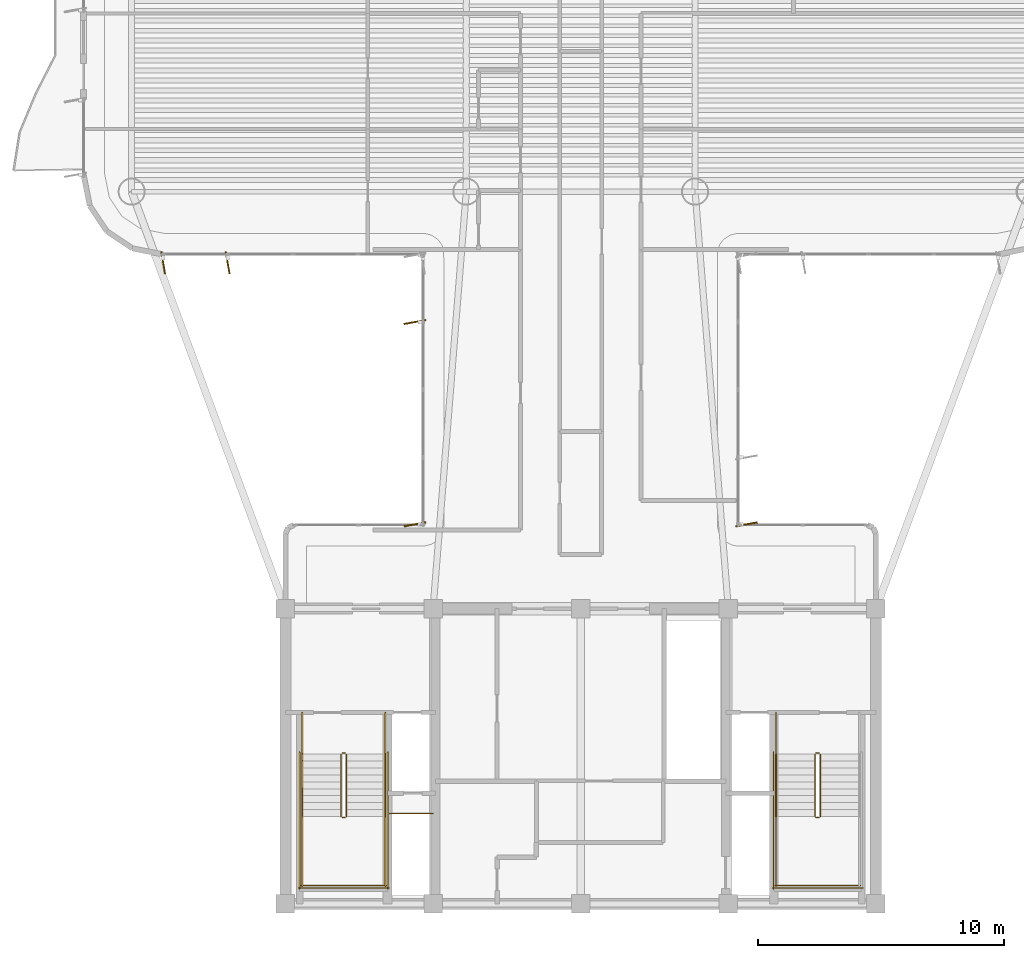
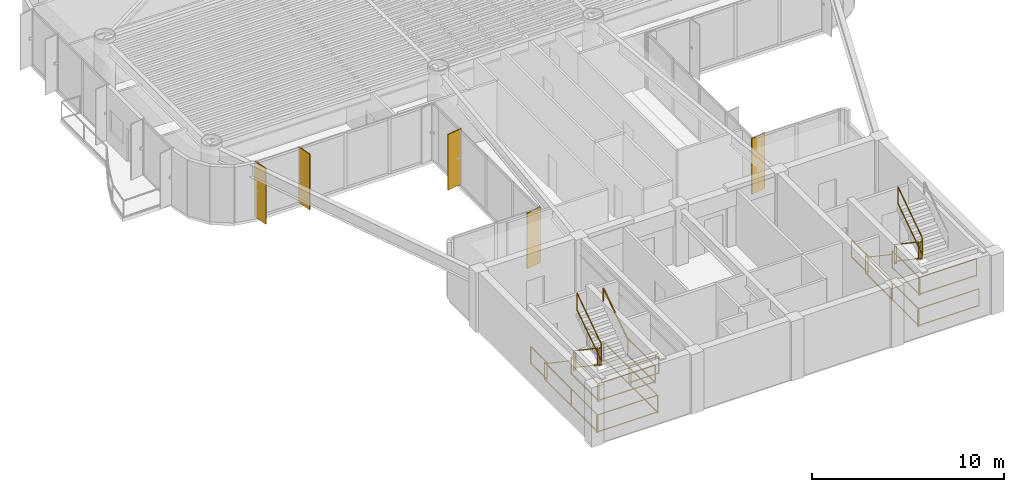
# One storey, part 13 of 14: 25 railings, 5 shading devices.
"""IFC4 building model written with IfcOpenShell, lengths in metres."""

from ifc_helpers import new_model, si_unit, direction, frame, origin, origin_2d, place, context, subcontext, project, spatial, rectangle, extrude, source, transform, mapped, material, layer, layer_set, material_profile, profile_set, type_object, element, save


model = new_model("IFC4")

# Units and contexts
model_context = context("Model", 3, precision=1e-05, world=origin(), true_north=direction((0.0, 1.0)))
body_context = subcontext(model_context, "Body", "Model", "MODEL_VIEW")
ifc_project = project(units=[si_unit("LENGTHUNIT", "METRE"), si_unit("AREAUNIT", "SQUARE_METRE"), si_unit("VOLUMEUNIT", "CUBIC_METRE"), si_unit("PLANEANGLEUNIT", "RADIAN"), si_unit("MASSUNIT", "GRAM", prefix="KILO")], contexts=[model_context])

# Site, building, storey
site_placement = place(None, origin())
site = spatial("IfcSite", under=ifc_project, at=site_placement, CompositionType="ELEMENT")
building_placement = place(site_placement, origin())
building = spatial("IfcBuilding", under=site, at=building_placement, Name="Brelvock Crest Care Tower", CompositionType="ELEMENT")
storey_placement = place(building_placement, frame((0.0, 0.0, 198.0)))
storey = spatial("IfcBuildingStorey", under=building, at=storey_placement, Name="L50", CompositionType="ELEMENT", Elevation=198.0)

# Railings
ifc_material_1 = material(Name="Steel Grade 350", Category="steel")
ifc_layer_1 = layer(ifc_material_1, 0.050048828125, Name="RL-STG1")
ifc_layer_set_1 = layer_set([ifc_layer_1], Name="Steel Grade 350")
railing_type_1 = type_object("IfcRailingType", Name="RL-STG1", PredefinedType="GUARDRAIL", material=ifc_layer_set_1)
railing_1_placement = place(storey_placement, frame((26.260009765625, 12.080078125, 0.18896484375)))
element("IfcRailing", 1, at=railing_1_placement, inside=storey, type_object=railing_type_1, Name="L50 ST-1 stair guard 1", PredefinedType="GUARDRAIL", context=body_context, shape_type="SweptSolid", body=[
    extrude(rectangle(XDim=0.048095703125, YDim=0.048095703125, at=origin_2d()), frame((0.0, -0.001708984375, 1.116943359375), z_axis=(0.0, -0.828861706735, 0.559453546873), x_axis=(1.0, 0.0, 0.0)), (0.0, 0.0, 1.0), 3.036376953125),
    extrude(rectangle(XDim=0.048095703125, YDim=0.048095703125, at=origin_2d()), frame((0.0, -0.001708984375, 0.05615234375), z_axis=(0.0, -0.828861706735, 0.559453546873), x_axis=(1.0, 0.0, 0.0)), (0.0, 0.0, 1.0), 3.036376953125),
    extrude(rectangle(XDim=0.0419921875, YDim=0.0419921875, at=origin_2d()), origin(), (0.0, 0.0, 1.0), 1.08984375),
    extrude(rectangle(XDim=0.0419921875, YDim=0.0419921875, at=origin_2d()), frame((0.0, -2.52001953125, 1.700927734375)), (0.0, 0.0, 1.0), 1.08984375),
])
railing_2_placement = place(storey_placement, frame((26.31005859375, 9.510009765625, 1.889892578125)))
element("IfcRailing", 2, at=railing_2_placement, inside=storey, type_object=railing_type_1, Name="L50 ST-1 stair guard 2", PredefinedType="GUARDRAIL", context=body_context, shape_type="SweptSolid", body=[
    extrude(rectangle(XDim=0.048095703125, YDim=0.048095703125, at=origin_2d()), frame((0.001953125, 0.0, 1.11572265625), z_axis=(1.0, 0.0, 0.0), x_axis=(0.0, 1.0, 0.0)), (0.0, 0.0, 1.0), 0.115966796875),
    extrude(rectangle(XDim=0.048095703125, YDim=0.048095703125, at=origin_2d()), frame((0.001953125, 0.0, 0.054931640625), z_axis=(1.0, 0.0, 0.0), x_axis=(0.0, 1.0, 0.0)), (0.0, 0.0, 1.0), 0.115966796875),
    extrude(rectangle(XDim=0.0419921875, YDim=0.0419921875, at=origin_2d()), origin(), (0.0, 0.0, 1.0), 1.08984375),
    extrude(rectangle(XDim=0.0419921875, YDim=0.0419921875, at=origin_2d()), frame((0.119873046875, 0.0, 0.0)), (0.0, 0.0, 1.0), 1.08984375),
])
for number, where, name in (
    (3, (24.679931640625, 9.56005859375, 1.889892578125), "L50 ST-1 stair guard 3"),
    (4, (28.06005859375, 9.56005859375, 1.889892578125), "L50 ST-1 stair guard 4"),
):
    element("IfcRailing", number, at=place(storey_placement, frame(where)), inside=storey, type_object=railing_type_1, Name=name, PredefinedType="GUARDRAIL", context=body_context, shape_type="SweptSolid", body=[
        extrude(rectangle(XDim=0.048095703125, YDim=0.048095703125, at=origin_2d()), frame((0.0, -0.001953125, 1.11572265625), z_axis=(0.0, -1.0, 0.0), x_axis=(1.0, 0.0, 0.0)), (0.0, 0.0, 1.0), 2.856201171875),
        extrude(rectangle(XDim=0.048095703125, YDim=0.048095703125, at=origin_2d()), frame((0.0, -0.001953125, 0.054931640625), z_axis=(0.0, -1.0, 0.0), x_axis=(1.0, 0.0, 0.0)), (0.0, 0.0, 1.0), 2.856201171875),
        extrude(rectangle(XDim=0.0419921875, YDim=0.0419921875, at=origin_2d()), origin(), (0.0, 0.0, 1.0), 1.08984375),
        extrude(rectangle(XDim=0.0419921875, YDim=0.0419921875, at=origin_2d()), frame((0.0, -2.860107421875, 0.0)), (0.0, 0.0, 1.0), 1.08984375),
    ])
railing_3_placement = place(storey_placement, frame((24.6298828125, 6.75, 1.889892578125)))
element("IfcRailing", 5, at=railing_3_placement, inside=storey, type_object=railing_type_1, Name="L50 ST-1 stair guard 5", PredefinedType="GUARDRAIL", context=body_context, shape_type="SweptSolid", body=[
    extrude(rectangle(XDim=0.048095703125, YDim=0.048095703125, at=origin_2d()), frame((0.001953125, 0.0, 1.11572265625), z_axis=(1.0, 0.0, 0.0), x_axis=(0.0, 1.0, 0.0)), (0.0, 0.0, 1.0), 3.476318359375),
    extrude(rectangle(XDim=0.048095703125, YDim=0.048095703125, at=origin_2d()), frame((0.001953125, 0.0, 0.054931640625), z_axis=(1.0, 0.0, 0.0), x_axis=(0.0, 1.0, 0.0)), (0.0, 0.0, 1.0), 3.476318359375),
    extrude(rectangle(XDim=0.0419921875, YDim=0.0419921875, at=origin_2d()), origin(), (0.0, 0.0, 1.0), 1.08984375),
    extrude(rectangle(XDim=0.0419921875, YDim=0.0419921875, at=origin_2d()), frame((3.480224609375, 0.0, 0.0)), (0.0, 0.0, 1.0), 1.08984375),
])
railing_4_placement = place(storey_placement, frame((26.47998046875, 9.56005859375, 2.0791015625)))
element("IfcRailing", 6, at=railing_4_placement, inside=storey, type_object=railing_type_1, Name="L50 ST-1 stair guard 6", PredefinedType="GUARDRAIL", context=body_context, shape_type="SweptSolid", body=[
    extrude(rectangle(XDim=0.048095703125, YDim=0.048095703125, at=origin_2d()), frame((0.0, 0.001708984375, 1.116943359375), z_axis=(0.0, 0.828861706735, 0.559453546873), x_axis=(-1.0, 0.0, 0.0)), (0.0, 0.0, 1.0), 3.036376953125),
    extrude(rectangle(XDim=0.048095703125, YDim=0.048095703125, at=origin_2d()), frame((0.0, 0.001708984375, 0.05615234375), z_axis=(0.0, 0.828861706735, 0.559453546873), x_axis=(-1.0, 0.0, 0.0)), (0.0, 0.0, 1.0), 3.036376953125),
    extrude(rectangle(XDim=0.0419921875, YDim=0.0419921875, at=origin_2d()), origin(), (0.0, 0.0, 1.0), 1.08984375),
    extrude(rectangle(XDim=0.0419921875, YDim=0.0419921875, at=origin_2d()), frame((0.0, 2.52001953125, 1.700927734375)), (0.0, 0.0, 1.0), 1.08984375),
])
railing_5_placement = place(storey_placement, frame((26.31005859375, 12.1298828125, 0.0)))
element("IfcRailing", 7, at=railing_5_placement, inside=storey, type_object=railing_type_1, Name="L50 ST-1 stair guard 7", PredefinedType="GUARDRAIL", context=body_context, shape_type="SweptSolid", body=[
    extrude(rectangle(XDim=0.048095703125, YDim=0.048095703125, at=origin_2d()), frame((0.001953125, 0.0, 1.11572265625), z_axis=(1.0, 0.0, 0.0), x_axis=(0.0, 1.0, 0.0)), (0.0, 0.0, 1.0), 0.115966796875),
    extrude(rectangle(XDim=0.048095703125, YDim=0.048095703125, at=origin_2d()), frame((0.001953125, 0.0, 0.054931640625), z_axis=(1.0, 0.0, 0.0), x_axis=(0.0, 1.0, 0.0)), (0.0, 0.0, 1.0), 0.115966796875),
    extrude(rectangle(XDim=0.0419921875, YDim=0.0419921875, at=origin_2d()), origin(), (0.0, 0.0, 1.0), 1.08984375),
    extrude(rectangle(XDim=0.0419921875, YDim=0.0419921875, at=origin_2d()), frame((0.119873046875, 0.0, 0.0)), (0.0, 0.0, 1.0), 1.08984375),
])
for number, where, name in (
    (8, (24.679931640625, 13.780029296875, 0.0), "L50 ST-1 stair guard 8"),
    (9, (28.06005859375, 13.780029296875, 0.0), "L50 ST-1 stair guard 9"),
):
    element("IfcRailing", number, at=place(storey_placement, frame(where)), inside=storey, type_object=railing_type_1, Name=name, PredefinedType="GUARDRAIL", context=body_context, shape_type="SweptSolid", body=[
        extrude(rectangle(XDim=0.048095703125, YDim=0.048095703125, at=origin_2d()), frame((0.0, -0.001953125, 1.11572265625), z_axis=(0.0, -1.0, 0.0), x_axis=(1.0, 0.0, 0.0)), (0.0, 0.0, 1.0), 1.696044921875),
        extrude(rectangle(XDim=0.048095703125, YDim=0.048095703125, at=origin_2d()), frame((0.0, -0.001953125, 0.054931640625), z_axis=(0.0, -1.0, 0.0), x_axis=(1.0, 0.0, 0.0)), (0.0, 0.0, 1.0), 1.696044921875),
        extrude(rectangle(XDim=0.0419921875, YDim=0.0419921875, at=origin_2d()), origin(), (0.0, 0.0, 1.0), 1.08984375),
        extrude(rectangle(XDim=0.0419921875, YDim=0.0419921875, at=origin_2d()), frame((0.0, -1.699951171875, 0.0)), (0.0, 0.0, 1.0), 1.08984375),
    ])
for number, where, name in (
    (10, (24.580078125, 12.179931640625, 0.0), "L50 ST-1 stair guard 10"),
    (11, (28.159912109375, 12.179931640625, 0.0), "L50 ST-1 stair guard 11"),
):
    element("IfcRailing", number, at=place(storey_placement, frame(where)), inside=storey, type_object=railing_type_1, Name=name, PredefinedType="GUARDRAIL", context=body_context, shape_type="SweptSolid", body=[
        extrude(rectangle(XDim=0.048095703125, YDim=0.048095703125, at=origin_2d()), frame((0.0, -0.001953125, 1.11572265625), z_axis=(0.0, -1.0, 0.0), x_axis=(1.0, 0.0, 0.0)), (0.0, 0.0, 1.0), 5.575927734375),
        extrude(rectangle(XDim=0.048095703125, YDim=0.048095703125, at=origin_2d()), frame((0.0, -0.001953125, 0.054931640625), z_axis=(0.0, -1.0, 0.0), x_axis=(1.0, 0.0, 0.0)), (0.0, 0.0, 1.0), 5.575927734375),
        extrude(rectangle(XDim=0.0419921875, YDim=0.0419921875, at=origin_2d()), origin(), (0.0, 0.0, 1.0), 1.08984375),
        extrude(rectangle(XDim=0.0419921875, YDim=0.0419921875, at=origin_2d()), frame((0.0, -2.7900390625, 0.0)), (0.0, 0.0, 1.0), 1.08984375),
        extrude(rectangle(XDim=0.0419921875, YDim=0.0419921875, at=origin_2d()), frame((0.0, -5.579833984375, 0.0)), (0.0, 0.0, 1.0), 1.08984375),
    ])
railing_6_placement = place(storey_placement, frame((24.530029296875, 6.64990234375, 0.0)))
element("IfcRailing", 12, at=railing_6_placement, inside=storey, type_object=railing_type_1, Name="L50 ST-1 stair guard 12", PredefinedType="GUARDRAIL", context=body_context, shape_type="SweptSolid", body=[
    extrude(rectangle(XDim=0.048095703125, YDim=0.048095703125, at=origin_2d()), frame((0.001953125, 0.0, 1.11572265625), z_axis=(1.0, 0.0, 0.0), x_axis=(0.0, 1.0, 0.0)), (0.0, 0.0, 1.0), 3.676025390625),
    extrude(rectangle(XDim=0.048095703125, YDim=0.048095703125, at=origin_2d()), frame((0.001953125, 0.0, 0.054931640625), z_axis=(1.0, 0.0, 0.0), x_axis=(0.0, 1.0, 0.0)), (0.0, 0.0, 1.0), 3.676025390625),
    extrude(rectangle(XDim=0.0419921875, YDim=0.0419921875, at=origin_2d()), origin(), (0.0, 0.0, 1.0), 1.08984375),
    extrude(rectangle(XDim=0.0419921875, YDim=0.0419921875, at=origin_2d()), frame((3.679931640625, 0.0, 0.0)), (0.0, 0.0, 1.0), 1.08984375),
])
railing_7_placement = place(storey_placement, frame((45.52001953125, 12.080078125, 0.18896484375)))
element("IfcRailing", 13, at=railing_7_placement, inside=storey, type_object=railing_type_1, Name="L50 ST-2 stair guard 1", PredefinedType="GUARDRAIL", context=body_context, shape_type="SweptSolid", body=[
    extrude(rectangle(XDim=0.048095703125, YDim=0.048095703125, at=origin_2d()), frame((0.0, -0.001708984375, 1.116943359375), z_axis=(0.0, -0.828861706735, 0.559453546873), x_axis=(1.0, 0.0, 0.0)), (0.0, 0.0, 1.0), 3.036376953125),
    extrude(rectangle(XDim=0.048095703125, YDim=0.048095703125, at=origin_2d()), frame((0.0, -0.001708984375, 0.05615234375), z_axis=(0.0, -0.828861706735, 0.559453546873), x_axis=(1.0, 0.0, 0.0)), (0.0, 0.0, 1.0), 3.036376953125),
    extrude(rectangle(XDim=0.0419921875, YDim=0.0419921875, at=origin_2d()), origin(), (0.0, 0.0, 1.0), 1.08984375),
    extrude(rectangle(XDim=0.0419921875, YDim=0.0419921875, at=origin_2d()), frame((0.0, -2.52001953125, 1.700927734375)), (0.0, 0.0, 1.0), 1.08984375),
])
railing_8_placement = place(storey_placement, frame((45.570068359375, 9.510009765625, 1.889892578125)))
element("IfcRailing", 14, at=railing_8_placement, inside=storey, type_object=railing_type_1, Name="L50 ST-2 stair guard 2", PredefinedType="GUARDRAIL", context=body_context, shape_type="SweptSolid", body=[
    extrude(rectangle(XDim=0.048095703125, YDim=0.048095703125, at=origin_2d()), frame((0.001953125, 0.0, 1.11572265625), z_axis=(1.0, 0.0, 0.0), x_axis=(0.0, 1.0, 0.0)), (0.0, 0.0, 1.0), 0.115966796875),
    extrude(rectangle(XDim=0.048095703125, YDim=0.048095703125, at=origin_2d()), frame((0.001953125, 0.0, 0.054931640625), z_axis=(1.0, 0.0, 0.0), x_axis=(0.0, 1.0, 0.0)), (0.0, 0.0, 1.0), 0.115966796875),
    extrude(rectangle(XDim=0.0419921875, YDim=0.0419921875, at=origin_2d()), origin(), (0.0, 0.0, 1.0), 1.08984375),
    extrude(rectangle(XDim=0.0419921875, YDim=0.0419921875, at=origin_2d()), frame((0.119873046875, 0.0, 0.0)), (0.0, 0.0, 1.0), 1.08984375),
])
railing_9_placement = place(storey_placement, frame((43.93994140625, 9.56005859375, 1.889892578125)))
element("IfcRailing", 15, at=railing_9_placement, inside=storey, type_object=railing_type_1, Name="L50 ST-2 stair guard 3", PredefinedType="GUARDRAIL", context=body_context, shape_type="SweptSolid", body=[
    extrude(rectangle(XDim=0.048095703125, YDim=0.048095703125, at=origin_2d()), frame((0.0, -0.001953125, 1.11572265625), z_axis=(0.0, -1.0, 0.0), x_axis=(1.0, 0.0, 0.0)), (0.0, 0.0, 1.0), 2.856201171875),
    extrude(rectangle(XDim=0.048095703125, YDim=0.048095703125, at=origin_2d()), frame((0.0, -0.001953125, 0.054931640625), z_axis=(0.0, -1.0, 0.0), x_axis=(1.0, 0.0, 0.0)), (0.0, 0.0, 1.0), 2.856201171875),
    extrude(rectangle(XDim=0.0419921875, YDim=0.0419921875, at=origin_2d()), origin(), (0.0, 0.0, 1.0), 1.08984375),
    extrude(rectangle(XDim=0.0419921875, YDim=0.0419921875, at=origin_2d()), frame((0.0, -2.860107421875, 0.0)), (0.0, 0.0, 1.0), 1.08984375),
])
railing_10_placement = place(storey_placement, frame((43.889892578125, 6.75, 1.889892578125)))
element("IfcRailing", 16, at=railing_10_placement, inside=storey, type_object=railing_type_1, Name="L50 ST-2 stair guard 5", PredefinedType="GUARDRAIL", context=body_context, shape_type="SweptSolid", body=[
    extrude(rectangle(XDim=0.048095703125, YDim=0.048095703125, at=origin_2d()), frame((0.001953125, 0.0, 1.11572265625), z_axis=(1.0, 0.0, 0.0), x_axis=(0.0, 1.0, 0.0)), (0.0, 0.0, 1.0), 3.476318359375),
    extrude(rectangle(XDim=0.048095703125, YDim=0.048095703125, at=origin_2d()), frame((0.001953125, 0.0, 0.054931640625), z_axis=(1.0, 0.0, 0.0), x_axis=(0.0, 1.0, 0.0)), (0.0, 0.0, 1.0), 3.476318359375),
    extrude(rectangle(XDim=0.0419921875, YDim=0.0419921875, at=origin_2d()), origin(), (0.0, 0.0, 1.0), 1.08984375),
    extrude(rectangle(XDim=0.0419921875, YDim=0.0419921875, at=origin_2d()), frame((3.480224609375, 0.0, 0.0)), (0.0, 0.0, 1.0), 1.08984375),
])
railing_11_placement = place(storey_placement, frame((45.739990234375, 9.56005859375, 2.0791015625)))
element("IfcRailing", 17, at=railing_11_placement, inside=storey, type_object=railing_type_1, Name="L50 ST-2 stair guard 6", PredefinedType="GUARDRAIL", context=body_context, shape_type="SweptSolid", body=[
    extrude(rectangle(XDim=0.048095703125, YDim=0.048095703125, at=origin_2d()), frame((0.0, 0.001708984375, 1.116943359375), z_axis=(0.0, 0.828861706735, 0.559453546873), x_axis=(-1.0, 0.0, 0.0)), (0.0, 0.0, 1.0), 3.036376953125),
    extrude(rectangle(XDim=0.048095703125, YDim=0.048095703125, at=origin_2d()), frame((0.0, 0.001708984375, 0.05615234375), z_axis=(0.0, 0.828861706735, 0.559453546873), x_axis=(-1.0, 0.0, 0.0)), (0.0, 0.0, 1.0), 3.036376953125),
    extrude(rectangle(XDim=0.0419921875, YDim=0.0419921875, at=origin_2d()), origin(), (0.0, 0.0, 1.0), 1.08984375),
    extrude(rectangle(XDim=0.0419921875, YDim=0.0419921875, at=origin_2d()), frame((0.0, 2.52001953125, 1.700927734375)), (0.0, 0.0, 1.0), 1.08984375),
])
railing_12_placement = place(storey_placement, frame((45.570068359375, 12.1298828125, 0.0)))
element("IfcRailing", 18, at=railing_12_placement, inside=storey, type_object=railing_type_1, Name="L50 ST-2 stair guard 7", PredefinedType="GUARDRAIL", context=body_context, shape_type="SweptSolid", body=[
    extrude(rectangle(XDim=0.048095703125, YDim=0.048095703125, at=origin_2d()), frame((0.001953125, 0.0, 1.11572265625), z_axis=(1.0, 0.0, 0.0), x_axis=(0.0, 1.0, 0.0)), (0.0, 0.0, 1.0), 0.115966796875),
    extrude(rectangle(XDim=0.048095703125, YDim=0.048095703125, at=origin_2d()), frame((0.001953125, 0.0, 0.054931640625), z_axis=(1.0, 0.0, 0.0), x_axis=(0.0, 1.0, 0.0)), (0.0, 0.0, 1.0), 0.115966796875),
    extrude(rectangle(XDim=0.0419921875, YDim=0.0419921875, at=origin_2d()), origin(), (0.0, 0.0, 1.0), 1.08984375),
    extrude(rectangle(XDim=0.0419921875, YDim=0.0419921875, at=origin_2d()), frame((0.119873046875, 0.0, 0.0)), (0.0, 0.0, 1.0), 1.08984375),
])
railing_13_placement = place(storey_placement, frame((43.93994140625, 13.780029296875, 0.0)))
element("IfcRailing", 19, at=railing_13_placement, inside=storey, type_object=railing_type_1, Name="L50 ST-2 stair guard 8", PredefinedType="GUARDRAIL", context=body_context, shape_type="SweptSolid", body=[
    extrude(rectangle(XDim=0.048095703125, YDim=0.048095703125, at=origin_2d()), frame((0.0, -0.001953125, 1.11572265625), z_axis=(0.0, -1.0, 0.0), x_axis=(1.0, 0.0, 0.0)), (0.0, 0.0, 1.0), 1.696044921875),
    extrude(rectangle(XDim=0.048095703125, YDim=0.048095703125, at=origin_2d()), frame((0.0, -0.001953125, 0.054931640625), z_axis=(0.0, -1.0, 0.0), x_axis=(1.0, 0.0, 0.0)), (0.0, 0.0, 1.0), 1.696044921875),
    extrude(rectangle(XDim=0.0419921875, YDim=0.0419921875, at=origin_2d()), origin(), (0.0, 0.0, 1.0), 1.08984375),
    extrude(rectangle(XDim=0.0419921875, YDim=0.0419921875, at=origin_2d()), frame((0.0, -1.699951171875, 0.0)), (0.0, 0.0, 1.0), 1.08984375),
])
railing_14_placement = place(storey_placement, frame((43.840087890625, 12.179931640625, 0.0)))
element("IfcRailing", 20, at=railing_14_placement, inside=storey, type_object=railing_type_1, Name="L50 ST-2 stair guard 10", PredefinedType="GUARDRAIL", context=body_context, shape_type="SweptSolid", body=[
    extrude(rectangle(XDim=0.048095703125, YDim=0.048095703125, at=origin_2d()), frame((0.0, -0.001953125, 1.11572265625), z_axis=(0.0, -1.0, 0.0), x_axis=(1.0, 0.0, 0.0)), (0.0, 0.0, 1.0), 5.575927734375),
    extrude(rectangle(XDim=0.048095703125, YDim=0.048095703125, at=origin_2d()), frame((0.0, -0.001953125, 0.054931640625), z_axis=(0.0, -1.0, 0.0), x_axis=(1.0, 0.0, 0.0)), (0.0, 0.0, 1.0), 5.575927734375),
    extrude(rectangle(XDim=0.0419921875, YDim=0.0419921875, at=origin_2d()), origin(), (0.0, 0.0, 1.0), 1.08984375),
    extrude(rectangle(XDim=0.0419921875, YDim=0.0419921875, at=origin_2d()), frame((0.0, -2.7900390625, 0.0)), (0.0, 0.0, 1.0), 1.08984375),
    extrude(rectangle(XDim=0.0419921875, YDim=0.0419921875, at=origin_2d()), frame((0.0, -5.579833984375, 0.0)), (0.0, 0.0, 1.0), 1.08984375),
])
railing_15_placement = place(storey_placement, frame((43.7900390625, 6.64990234375, 0.0)))
element("IfcRailing", 21, at=railing_15_placement, inside=storey, type_object=railing_type_1, Name="L50 ST-2 stair guard 12", PredefinedType="GUARDRAIL", context=body_context, shape_type="SweptSolid", body=[
    extrude(rectangle(XDim=0.048095703125, YDim=0.048095703125, at=origin_2d()), frame((0.001953125, 0.0, 1.11572265625), z_axis=(1.0, 0.0, 0.0), x_axis=(0.0, 1.0, 0.0)), (0.0, 0.0, 1.0), 3.676025390625),
    extrude(rectangle(XDim=0.048095703125, YDim=0.048095703125, at=origin_2d()), frame((0.001953125, 0.0, 0.054931640625), z_axis=(1.0, 0.0, 0.0), x_axis=(0.0, 1.0, 0.0)), (0.0, 0.0, 1.0), 3.676025390625),
    extrude(rectangle(XDim=0.0419921875, YDim=0.0419921875, at=origin_2d()), origin(), (0.0, 0.0, 1.0), 1.08984375),
    extrude(rectangle(XDim=0.0419921875, YDim=0.0419921875, at=origin_2d()), frame((3.679931640625, 0.0, 0.0)), (0.0, 0.0, 1.0), 1.08984375),
])
railing_16_placement = place(storey_placement, frame((28.219970703125, 9.679931640625, 0.0)))
element("IfcRailing", 22, at=railing_16_placement, inside=storey, type_object=railing_type_1, Name="L50 Fire Riser Threshold Guard", PredefinedType="GUARDRAIL", context=body_context, shape_type="SweptSolid", body=[
    extrude(rectangle(XDim=0.048095703125, YDim=0.048095703125, at=origin_2d()), frame((0.001953125, 0.0, 1.11572265625), z_axis=(1.0, 0.0, 0.0), x_axis=(0.0, 1.0, 0.0)), (0.0, 0.0, 1.0), 1.776123046875),
    extrude(rectangle(XDim=0.048095703125, YDim=0.048095703125, at=origin_2d()), frame((0.001953125, 0.0, 0.054931640625), z_axis=(1.0, 0.0, 0.0), x_axis=(0.0, 1.0, 0.0)), (0.0, 0.0, 1.0), 1.776123046875),
    extrude(rectangle(XDim=0.0419921875, YDim=0.0419921875, at=origin_2d()), origin(), (0.0, 0.0, 1.0), 1.08984375),
    extrude(rectangle(XDim=0.0419921875, YDim=0.0419921875, at=origin_2d()), frame((1.780029296875, 0.0, 0.0)), (0.0, 0.0, 1.0), 1.08984375),
])
ifc_layer_2 = layer(ifc_material_1, 0.048095703125, Name="RL-STH1")
ifc_layer_set_2 = layer_set([ifc_layer_2], Name="Steel Grade 350")
railing_type_2 = type_object("IfcRailingType", Name="RL-STH1", PredefinedType="HANDRAIL", material=ifc_layer_set_2)
railing_17_placement = place(storey_placement, frame((24.679931640625, 12.080078125, 0.18896484375)))
element("IfcRailing", 23, at=railing_17_placement, inside=storey, type_object=railing_type_2, Name="L50 ST-1 stair handrail 1", PredefinedType="HANDRAIL", context=body_context, shape_type="SweptSolid", body=[
    extrude(rectangle(XDim=0.048095703125, YDim=0.048095703125, at=origin_2d()), frame((0.0, -0.001708984375, 0.876953125), z_axis=(0.0, -0.828861706735, 0.559453546873), x_axis=(1.0, 0.0, 0.0)), (0.0, 0.0, 1.0), 3.036376953125),
    extrude(rectangle(XDim=0.0419921875, YDim=0.0419921875, at=origin_2d()), origin(), (0.0, 0.0, 1.0), 0.849853515625),
    extrude(rectangle(XDim=0.0419921875, YDim=0.0419921875, at=origin_2d()), frame((0.0, -2.52001953125, 1.700927734375)), (0.0, 0.0, 1.0), 0.849853515625),
])
railing_18_placement = place(storey_placement, frame((28.06005859375, 9.56005859375, 2.0791015625)))
element("IfcRailing", 24, at=railing_18_placement, inside=storey, type_object=railing_type_2, Name="L50 ST-1 stair handrail 2", PredefinedType="HANDRAIL", context=body_context, shape_type="SweptSolid", body=[
    extrude(rectangle(XDim=0.048095703125, YDim=0.048095703125, at=origin_2d()), frame((0.0, 0.001708984375, 0.876953125), z_axis=(0.0, 0.828861706735, 0.559453546873), x_axis=(-1.0, 0.0, 0.0)), (0.0, 0.0, 1.0), 3.036376953125),
    extrude(rectangle(XDim=0.0419921875, YDim=0.0419921875, at=origin_2d()), origin(), (0.0, 0.0, 1.0), 0.849853515625),
    extrude(rectangle(XDim=0.0419921875, YDim=0.0419921875, at=origin_2d()), frame((0.0, 2.52001953125, 1.700927734375)), (0.0, 0.0, 1.0), 0.849853515625),
])
railing_19_placement = place(storey_placement, frame((43.93994140625, 12.080078125, 0.18896484375)))
element("IfcRailing", 25, at=railing_19_placement, inside=storey, type_object=railing_type_2, Name="L50 ST-2 stair handrail 1", PredefinedType="HANDRAIL", context=body_context, shape_type="SweptSolid", body=[
    extrude(rectangle(XDim=0.048095703125, YDim=0.048095703125, at=origin_2d()), frame((0.0, -0.001708984375, 0.876953125), z_axis=(0.0, -0.828861706735, 0.559453546873), x_axis=(1.0, 0.0, 0.0)), (0.0, 0.0, 1.0), 3.036376953125),
    extrude(rectangle(XDim=0.0419921875, YDim=0.0419921875, at=origin_2d()), origin(), (0.0, 0.0, 1.0), 0.849853515625),
    extrude(rectangle(XDim=0.0419921875, YDim=0.0419921875, at=origin_2d()), frame((0.0, -2.52001953125, 1.700927734375)), (0.0, 0.0, 1.0), 0.849853515625),
])

# Shading devices
ifc_material_2 = material(Name="Aluminium 6063-T6", Category="aluminium")
ifc_material_profile = material_profile(ifc_material_2, rectangle(XDim=0.054931640625, YDim=0.89990234375, at=origin_2d()), Name="FIN55x900")
ifc_profile_set = profile_set([ifc_material_profile], Name="Aluminium 6063-T6")
shading_device_type = type_object("IfcShadingDeviceType", Name="SHD-FIN1", PredefinedType="USERDEFINED", material=ifc_profile_set)
shared_shape = source(origin(), body_context, "Body", "SweptSolid", [
    extrude(rectangle(XDim=0.054931640625, YDim=0.89990234375, at=origin_2d()), origin(), (0.0, 0.0, 1.0), 3.530029296875),
])
for number, where, z_axis, x_axis, name in (
    (26, (29.260009765625, 21.429931640625, 0.0), (0.0, 0.0, 1.0), (-0.173648177667, 0.984807753012, 0.0), "L50 Vertical Sunshade Fin E11-01"),
    (27, (29.260009765625, 29.64990234375, 0.0), (0.0, 0.0, 1.0), (-0.173648177667, 0.984807753012, 0.0), "L50 Vertical Sunshade Fin E11-04"),
    (28, (21.64990234375, 32.06005859375, 0.0), (0.0, 0.0, 1.0), (-0.984807753012, -0.173648177667, 0.0), "L50 Vertical Sunshade Fin E12-04"),
    (29, (19.030029296875, 32.06005859375, 0.0), (0.0, 0.0, 1.0), (-0.984807753012, -0.173648177667, 0.0), "L50 Vertical Sunshade Fin E12-05"),
    (30, (42.739990234375, 21.429931640625, 0.0), (0.0, 0.0, 1.0), (0.173648177667, -0.984807753012, 0.0), "L50 Vertical Sunshade Fin E45-05"),
):
    element("IfcShadingDevice", number, at=place(storey_placement, frame(where, z_axis=z_axis, x_axis=x_axis)), inside=storey, type_object=shading_device_type, Name=name, ObjectType="FIN", PredefinedType="USERDEFINED", context=body_context, shape_type="MappedRepresentation", body=[
        mapped(shared_shape, transform((0.0, 0.0, 0.0), x_axis=(1.0, 0.0, 0.0), y_axis=(0.0, 1.0, 0.0), z_axis=(0.0, 0.0, 1.0), scale=1.0)),
    ])

save(model, "model.ifc")
